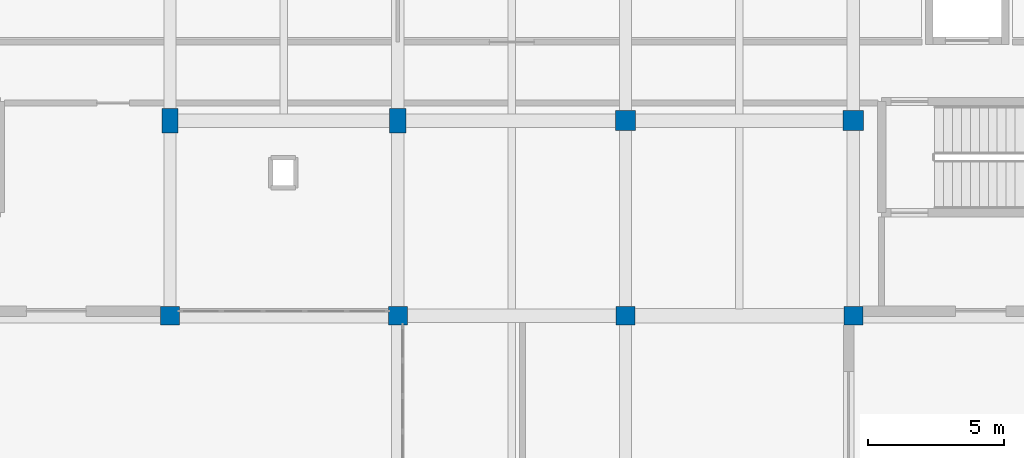
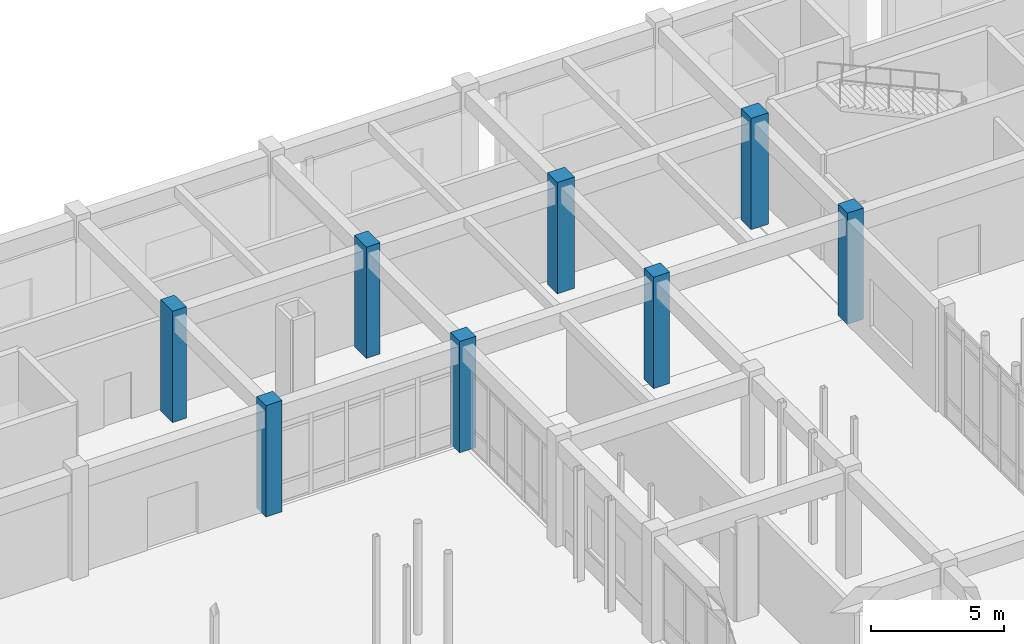
# One storey, part 25 of 121: 8 columns.
"""IFC4 building model written with IfcOpenShell, lengths in metres."""

from ifc_helpers import new_model, si_unit, direction, frame, origin, origin_2d, place, context, subcontext, project, spatial, rectangle, extrude, material, material_profile, profile_set, type_object, element, save


model = new_model("IFC4")

# Units and contexts
model_context = context("Model", 3, precision=1e-05, world=origin(), true_north=direction((0.0, 1.0)))
body_context = subcontext(model_context, "Body", "Model", "MODEL_VIEW")
ifc_project = project(units=[si_unit("LENGTHUNIT", "METRE"), si_unit("AREAUNIT", "SQUARE_METRE"), si_unit("VOLUMEUNIT", "CUBIC_METRE"), si_unit("PLANEANGLEUNIT", "RADIAN"), si_unit("MASSUNIT", "GRAM", prefix="KILO")], contexts=[model_context])

# Site, building, storey
site_placement = place(None, origin())
site = spatial("IfcSite", under=ifc_project, at=site_placement, CompositionType="ELEMENT")
building_placement = place(site_placement, origin())
building = spatial("IfcBuilding", under=site, at=building_placement, Name="Malvenik Polytechnic", CompositionType="ELEMENT")
storey_placement = place(building_placement, origin())
storey = spatial("IfcBuildingStorey", under=building, at=storey_placement, Name="L00", CompositionType="ELEMENT", Elevation=0.0)

# Columns
ifc_material = material(Name="Concrete C40/50", Category="concrete")
ifc_material_profile_1 = material_profile(ifc_material, rectangle(XDim=0.75, YDim=0.75, at=origin_2d()), Name="RC COL 750x750")
ifc_profile_set_1 = profile_set([ifc_material_profile_1], Name="Concrete C40/50")
column_type_1 = type_object("IfcColumnType", Name="STR-COL-C-03", PredefinedType="COLUMN", material=ifc_profile_set_1)
for number, where, z_axis, x_axis, name in (
    (1, (84.0, 122.39990234375, 0.0), (0.0, 0.0, 1.0), (1.0, 0.0, 0.0), "Column C-03 L00 (84.0,122.4)"),
    (2, (92.39990234375, 122.39990234375, 0.0), (0.0, 0.0, 1.0), (1.0, 0.0, 0.0), "Column C-03 L00 (92.4,122.4)"),
):
    element("IfcColumn", number, at=place(storey_placement, frame(where, z_axis=z_axis, x_axis=x_axis)), inside=storey, type_object=column_type_1, Name=name, PredefinedType="COLUMN", context=body_context, shape_type="SweptSolid", body=[
        extrude(rectangle(XDim=0.75, YDim=0.75, at=origin_2d()), origin(), (0.0, 0.0, 1.0), 5.10009765625),
    ])
ifc_material_profile_2 = material_profile(ifc_material, rectangle(XDim=0.699951171875, YDim=0.699951171875, at=origin_2d()), Name="RC COL 700x700")
ifc_profile_set_2 = profile_set([ifc_material_profile_2], Name="Concrete C40/50")
column_type_2 = type_object("IfcColumnType", Name="STR-COL-C-04", PredefinedType="COLUMN", material=ifc_profile_set_2)
for number, where, z_axis, x_axis, name in (
    (3, (67.199951171875, 115.199951171875, 0.0), (0.0, 0.0, 1.0), (1.0, 0.0, 0.0), "Column C-04 L00 (67.2,115.2)"),
    (4, (75.60009765625, 115.199951171875, 0.0), (0.0, 0.0, 1.0), (1.0, 0.0, 0.0), "Column C-04 L00 (75.6,115.2)"),
    (5, (84.0, 115.199951171875, 0.0), (0.0, 0.0, 1.0), (1.0, 0.0, 0.0), "Column C-04 L00 (84.0,115.2)"),
    (6, (92.39990234375, 115.199951171875, 0.0), (0.0, 0.0, 1.0), (1.0, 0.0, 0.0), "Column C-04 L00 (92.4,115.2)"),
):
    element("IfcColumn", number, at=place(storey_placement, frame(where, z_axis=z_axis, x_axis=x_axis)), inside=storey, type_object=column_type_2, Name=name, PredefinedType="COLUMN", context=body_context, shape_type="SweptSolid", body=[
        extrude(rectangle(XDim=0.699951171875, YDim=0.699951171875, at=origin_2d()), origin(), (0.0, 0.0, 1.0), 5.10009765625),
    ])
ifc_material_profile_3 = material_profile(ifc_material, rectangle(XDim=0.60009765625, YDim=0.89990234375, at=origin_2d()), Name="RC COL 900x600")
ifc_profile_set_3 = profile_set([ifc_material_profile_3], Name="Concrete C40/50")
column_type_3 = type_object("IfcColumnType", Name="STR-COL-C-11", PredefinedType="COLUMN", material=ifc_profile_set_3)
for number, where, z_axis, x_axis, name in (
    (7, (67.199951171875, 122.39990234375, 0.0), (0.0, 0.0, 1.0), (1.0, 0.0, 0.0), "Column C-11 L00 (67.2,122.4)"),
    (8, (75.60009765625, 122.39990234375, 0.0), (0.0, 0.0, 1.0), (1.0, 0.0, 0.0), "Column C-11 L00 (75.6,122.4)"),
):
    element("IfcColumn", number, at=place(storey_placement, frame(where, z_axis=z_axis, x_axis=x_axis)), inside=storey, type_object=column_type_3, Name=name, PredefinedType="COLUMN", context=body_context, shape_type="SweptSolid", body=[
        extrude(rectangle(XDim=0.60009765625, YDim=0.89990234375, at=origin_2d()), origin(), (0.0, 0.0, 1.0), 5.10009765625),
    ])

save(model, "model.ifc")
